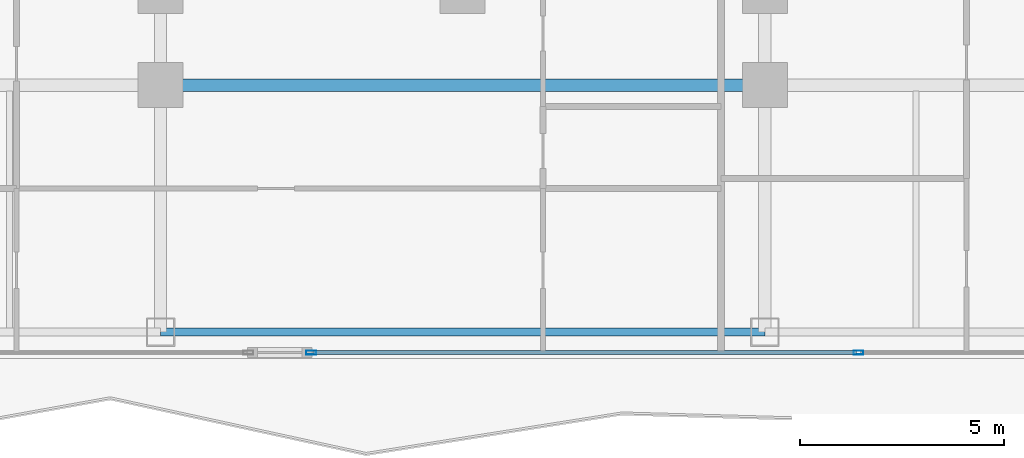
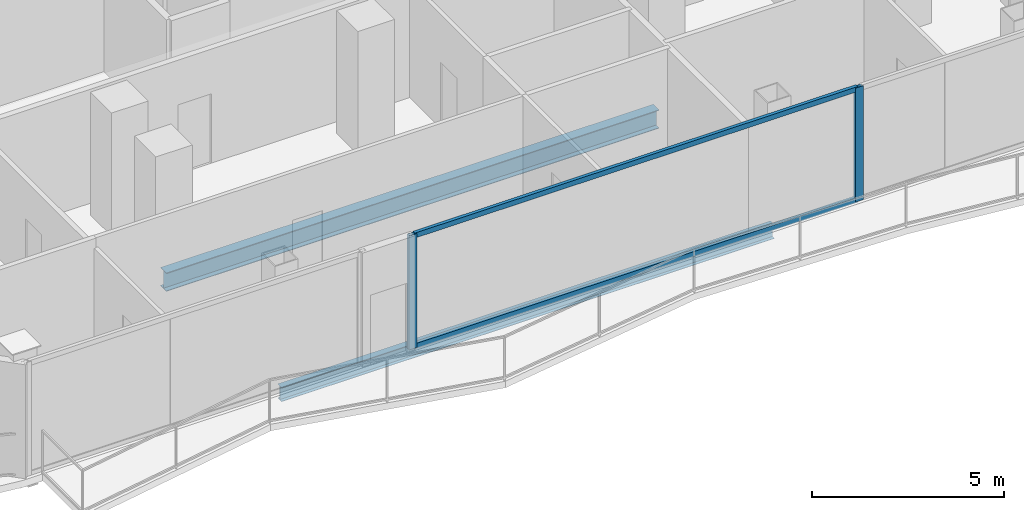
# One storey, part 4 of 27: 4 members, 2 beams, 1 element without a shape of its own.
"""IFC4 building model written with IfcOpenShell, lengths in metres."""

from ifc_helpers import new_model, si_unit, direction, frame, origin, origin_2d, place, context, subcontext, project, spatial, hollow_rectangle, i_section, extrude, material, layer, layer_set, material_profile, profile_set, type_object, element, aggregate, save


model = new_model("IFC4")

# Units and contexts
model_context = context("Model", 3, precision=1e-05, world=origin(), true_north=direction((0.0, 1.0)))
body_context = subcontext(model_context, "Body", "Model", "MODEL_VIEW")
ifc_project = project(units=[si_unit("LENGTHUNIT", "METRE"), si_unit("AREAUNIT", "SQUARE_METRE"), si_unit("VOLUMEUNIT", "CUBIC_METRE"), si_unit("PLANEANGLEUNIT", "RADIAN"), si_unit("MASSUNIT", "GRAM", prefix="KILO")], contexts=[model_context])

# Site, building, storey
site_placement = place(None, origin())
site = spatial("IfcSite", under=ifc_project, at=site_placement, CompositionType="ELEMENT")
building_placement = place(site_placement, origin())
building = spatial("IfcBuilding", under=site, at=building_placement, Name="Khorvyn Point Tower", CompositionType="ELEMENT")
storey_placement = place(building_placement, frame((0.0, 0.0, 164.10009765625)))
storey = spatial("IfcBuildingStorey", under=building, at=storey_placement, Name="L40", CompositionType="ELEMENT", Elevation=164.10009765625)

# Curtain wall, members
ifc_material_1 = material(Name="Anodised aluminium 6063-T6 and laminated Low-E glass", Category="aluminium")
ifc_layer = layer(ifc_material_1, 0.18994140625)
ifc_layer_set = layer_set([ifc_layer], Name="Stick-Built Acoustic Curtain Wall CW-SYS-03")
curtain_wall_type = type_object("IfcCurtainWallType", Name="Stick-Built Acoustic Curtain Wall CW-SYS-03", PredefinedType="NOTDEFINED", material=ifc_layer_set)
curtain_wall_placement = place(storey_placement, origin())
curtain_wall = element("IfcCurtainWall", 1, at=curtain_wall_placement, inside=storey, type_object=curtain_wall_type, Name="Curtain Wall", PredefinedType="NOTDEFINED")
ifc_material_2 = material(Name="Anodised aluminium 6063-T6", Category="aluminium")
ifc_material_profile_1 = material_profile(ifc_material_2, hollow_rectangle(XDim=0.10009765625, YDim=0.239990234375, WallThickness=0.0048828125, at=origin_2d()))
ifc_profile_set_1 = profile_set([ifc_material_profile_1], Name="Anodised aluminium 6063-T6 ALU-MUL-100x240")
member_type_1 = type_object("IfcMemberType", Name="Anodised Aluminium 6063-T6 Mullion ALU-MUL-100x240", PredefinedType="MULLION", material=ifc_profile_set_1)
member_1_placement = place(storey_placement, frame((9.694580078125, -23.64990234375, 0.0), z_axis=(0.0, 0.0, 1.0), x_axis=(0.0, -1.0, 0.0)))
member_1 = element("IfcMember", 2, at=member_1_placement, type_object=member_type_1, Name="Transom", PredefinedType="MULLION", context=body_context, shape_type="SweptSolid", body=[
    extrude(hollow_rectangle(XDim=0.10009765625, YDim=0.239990234375, WallThickness=0.0048828125, at=origin_2d()), origin(), (0.0, 0.0, 1.0), 3.619873046875),
])
member_2_placement = place(storey_placement, frame((-3.7109375, -23.64990234375, 0.0), z_axis=(0.0, 0.0, 1.0), x_axis=(0.0, -1.0, 0.0)))
member_2 = element("IfcMember", 3, at=member_2_placement, type_object=member_type_1, Name="Transom", PredefinedType="MULLION", context=body_context, shape_type="SweptSolid", body=[
    extrude(hollow_rectangle(XDim=0.10009765625, YDim=0.239990234375, WallThickness=0.0048828125, at=origin_2d()), origin(), (0.0, 0.0, 1.0), 3.619873046875),
])
ifc_material_profile_2 = material_profile(ifc_material_2, hollow_rectangle(XDim=0.10009765625, YDim=0.159912109375, WallThickness=0.00439453125, at=origin_2d()))
ifc_profile_set_2 = profile_set([ifc_material_profile_2], Name="Anodised aluminium 6063-T6 ALU-TRN-100x160")
member_type_2 = type_object("IfcMemberType", Name="Anodised Aluminium 6063-T6 Transom ALU-TRN-100x160", PredefinedType="USERDEFINED", material=ifc_profile_set_2)
member_3_placement = place(storey_placement, frame((9.64453125, -23.64990234375, 0.0498046875), z_axis=(-1.0, 0.0, 0.0), x_axis=(0.0, -1.0, 0.0)))
member_3 = element("IfcMember", 4, at=member_3_placement, type_object=member_type_2, Name="Transom", ObjectType="TRANSOM", PredefinedType="USERDEFINED", context=body_context, shape_type="SweptSolid", body=[
    extrude(hollow_rectangle(XDim=0.10009765625, YDim=0.159912109375, WallThickness=0.00439453125, at=origin_2d()), origin(), (0.0, 0.0, 1.0), 13.305419921875),
])
member_4_placement = place(storey_placement, frame((9.64453125, -23.64990234375, 3.56982421875), z_axis=(-1.0, 0.0, 0.0), x_axis=(0.0, -1.0, 0.0)))
member_4 = element("IfcMember", 5, at=member_4_placement, type_object=member_type_2, Name="Transom", ObjectType="TRANSOM", PredefinedType="USERDEFINED", context=body_context, shape_type="SweptSolid", body=[
    extrude(hollow_rectangle(XDim=0.10009765625, YDim=0.159912109375, WallThickness=0.00439453125, at=origin_2d()), origin(), (0.0, 0.0, 1.0), 13.305419921875),
])
aggregate(curtain_wall, [member_1, member_2, member_3, member_4])

# Beams
ifc_material_3 = material(Name="Steel S355", Category="steel")
ifc_material_profile_3 = material_profile(ifc_material_3, i_section(OverallWidth=0.300048828125, OverallDepth=0.587890625, WebThickness=0.011962890625, FlangeThickness=0.02001953125, at=origin_2d()))
ifc_profile_set_3 = profile_set([ifc_material_profile_3], Name="Steel S355 H588x300x12x20")
beam_type_1 = type_object("IfcBeamType", Name="Steel S355 Beam H588x300x12x20", PredefinedType="BEAM", material=ifc_profile_set_3)
beam_1_placement = place(storey_placement, frame((-7.39990234375, -17.10009765625, -0.51416015625), z_axis=(1.0, 0.0, 0.0), x_axis=(0.0, 1.0, 0.0)))
element("IfcBeam", 6, at=beam_1_placement, inside=storey, type_object=beam_type_1, Name="Beam", PredefinedType="BEAM", context=body_context, shape_type="SweptSolid", body=[
    extrude(i_section(OverallWidth=0.300048828125, OverallDepth=0.587890625, WebThickness=0.011962890625, FlangeThickness=0.02001953125, at=origin_2d()), origin(), (0.0, 0.0, 1.0), 14.7998046875),
])
ifc_material_profile_4 = material_profile(ifc_material_3, i_section(OverallWidth=0.199951171875, OverallDepth=0.449951171875, WebThickness=0.009033203125, FlangeThickness=0.013916015625, at=origin_2d()))
ifc_profile_set_4 = profile_set([ifc_material_profile_4], Name="Steel S355 H450x200x9x14")
beam_type_2 = type_object("IfcBeamType", Name="Steel S355 Spandrel H450x200x9x14", PredefinedType="SPANDREL", material=ifc_profile_set_4)
beam_2_placement = place(storey_placement, frame((-7.39990234375, -23.14990234375, -0.445068359375), z_axis=(1.0, 0.0, 0.0), x_axis=(0.0, 1.0, 0.0)))
element("IfcBeam", 7, at=beam_2_placement, inside=storey, type_object=beam_type_2, Name="Beam", PredefinedType="SPANDREL", context=body_context, shape_type="SweptSolid", body=[
    extrude(i_section(OverallWidth=0.199951171875, OverallDepth=0.449951171875, WebThickness=0.009033203125, FlangeThickness=0.013916015625, at=origin_2d()), origin(), (0.0, 0.0, 1.0), 14.7998046875),
])

save(model, "model.ifc")
